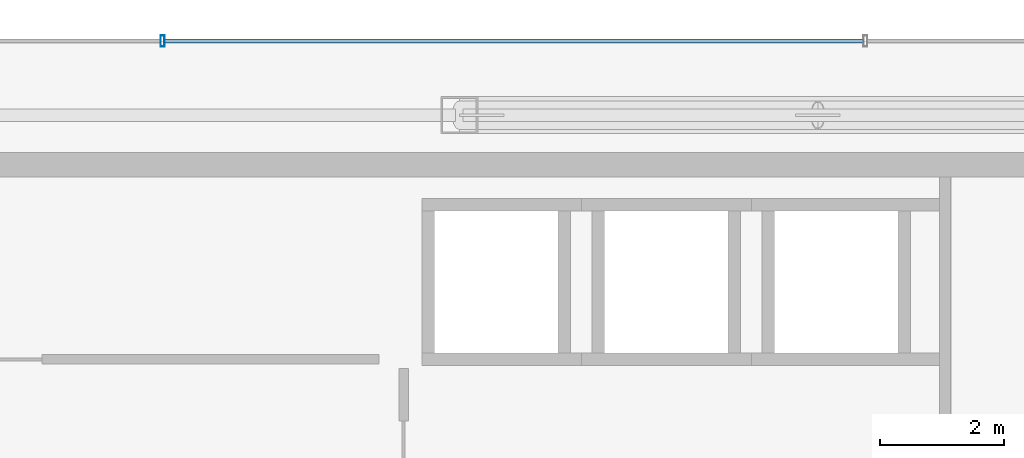
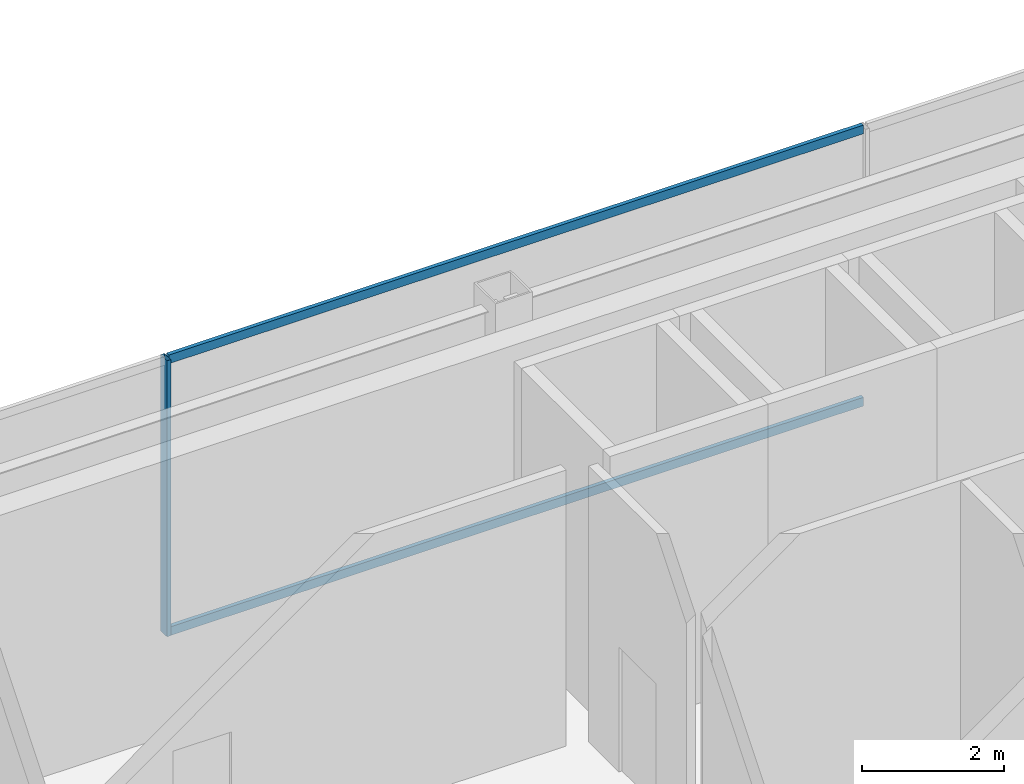
# One storey, part 9 of 20: 3 members, 1 element without a shape of its own.
"""IFC4 building model written with IfcOpenShell, lengths in metres."""

from ifc_helpers import new_model, si_unit, direction, frame, origin, origin_2d, place, context, subcontext, project, spatial, hollow_rectangle, extrude, material, material_profile, profile_set, type_object, element, aggregate, save


model = new_model("IFC4")

# Units and contexts
model_context = context("Model", 3, precision=1e-05, world=origin(), true_north=direction((0.0, 1.0)))
body_context = subcontext(model_context, "Body", "Model", "MODEL_VIEW")
ifc_project = project(units=[si_unit("LENGTHUNIT", "METRE"), si_unit("AREAUNIT", "SQUARE_METRE"), si_unit("VOLUMEUNIT", "CUBIC_METRE"), si_unit("PLANEANGLEUNIT", "RADIAN"), si_unit("MASSUNIT", "GRAM", prefix="KILO")], contexts=[model_context])

# Site, building, storey
site_placement = place(None, origin())
site = spatial("IfcSite", under=ifc_project, at=site_placement, CompositionType="ELEMENT")
building_placement = place(site_placement, origin())
building = spatial("IfcBuilding", under=site, at=building_placement, Name="Saevonmaru Cultural Tower", CompositionType="ELEMENT")
storey_placement = place(building_placement, frame((0.0, 0.0, 314.199951171875)))
storey = spatial("IfcBuildingStorey", under=building, at=storey_placement, Name="L75", CompositionType="ELEMENT", Elevation=314.199951171875)

# Curtain wall, members
ifc_material = material(Name="Satin Bronze Anodised Aluminium", Category="aluminium")
curtain_wall_type = type_object("IfcCurtainWallType", Name="CW-TYP-B", PredefinedType="NOTDEFINED", material=ifc_material)
curtain_wall_placement = place(storey_placement, origin())
curtain_wall = element("IfcCurtainWall", 1, at=curtain_wall_placement, inside=storey, type_object=curtain_wall_type, Name="L75 Wind-Floor Acoustic Louvre Screen E10", PredefinedType="NOTDEFINED")
ifc_material_profile_1 = material_profile(ifc_material, hollow_rectangle(XDim=0.06494140625, YDim=0.179931640625, WallThickness=0.00390625, at=origin_2d()), Name="ALU-MULL-180x65x4")
ifc_profile_set_1 = profile_set([ifc_material_profile_1], Name="Satin Bronze Anodised Aluminium")
member_type_1 = type_object("IfcMemberType", Name="ML-CW-180x65", PredefinedType="MULLION", material=ifc_profile_set_1)
member_1_placement = place(storey_placement, frame((30.0, 56.0, 0.0), z_axis=(0.0, 0.0, 1.0), x_axis=(-1.0, 0.0, 0.0)))
member_1 = element("IfcMember", 2, at=member_1_placement, type_object=member_type_1, Name="CW-TW-L75-E10 mullion 3", PredefinedType="MULLION", context=body_context, shape_type="SweptSolid", body=[
    extrude(hollow_rectangle(XDim=0.06494140625, YDim=0.179931640625, WallThickness=0.00390625, at=origin_2d()), origin(), (0.0, 0.0, 1.0), 4.75),
])
ifc_material_profile_2 = material_profile(ifc_material, hollow_rectangle(XDim=0.06494140625, YDim=0.14990234375, WallThickness=0.00390625, at=origin_2d()), Name="ALU-TRAN-150x65x4")
ifc_profile_set_2 = profile_set([ifc_material_profile_2], Name="Satin Bronze Anodised Aluminium")
member_type_2 = type_object("IfcMemberType", Name="TR-CW-150x65", PredefinedType="USERDEFINED", material=ifc_profile_set_2)
member_2_placement = place(storey_placement, frame((41.33740234375, 56.0, 0.032470703125), z_axis=(-1.0, 0.0, 0.0), x_axis=(0.0, -1.0, 0.0)))
member_2 = element("IfcMember", 3, at=member_2_placement, type_object=member_type_2, Name="CW-TW-L75-E10 transom 2.1", ObjectType="TRANSOM", PredefinedType="USERDEFINED", context=body_context, shape_type="SweptSolid", body=[
    extrude(hollow_rectangle(XDim=0.06494140625, YDim=0.14990234375, WallThickness=0.00390625, at=origin_2d()), origin(), (0.0, 0.0, 1.0), 11.304931640625),
])
member_3_placement = place(storey_placement, frame((41.33740234375, 56.0, 4.717529296875), z_axis=(-1.0, 0.0, 0.0), x_axis=(0.0, -1.0, 0.0)))
member_3 = element("IfcMember", 4, at=member_3_placement, type_object=member_type_2, Name="CW-TW-L75-E10 transom 2.2", ObjectType="TRANSOM", PredefinedType="USERDEFINED", context=body_context, shape_type="SweptSolid", body=[
    extrude(hollow_rectangle(XDim=0.06494140625, YDim=0.14990234375, WallThickness=0.00390625, at=origin_2d()), origin(), (0.0, 0.0, 1.0), 11.304931640625),
])
aggregate(curtain_wall, [member_1, member_2, member_3])

save(model, "model.ifc")
